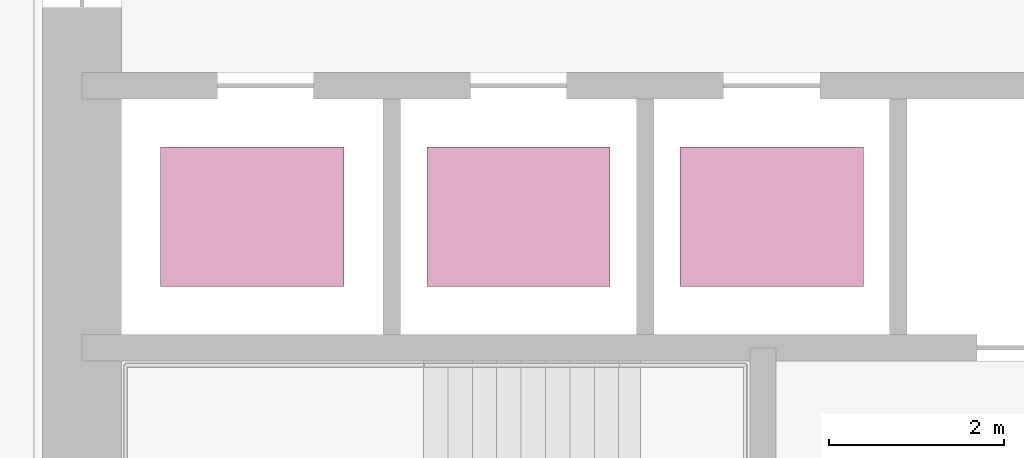
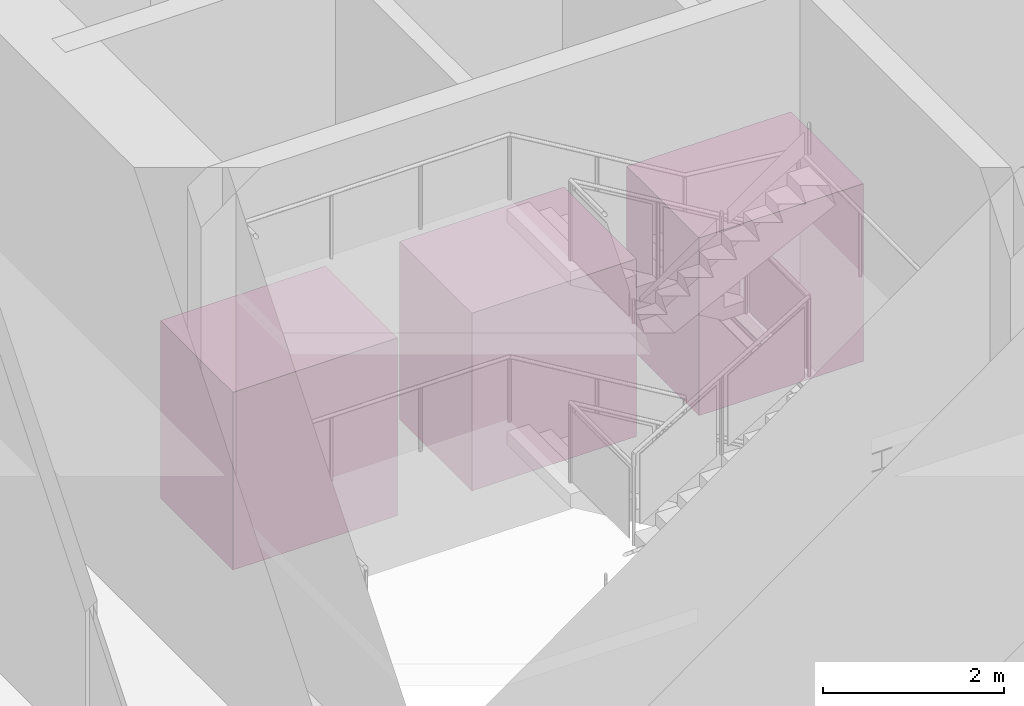
# One storey, part 13 of 13: 3 transport elements.
"""IFC4 building model written with IfcOpenShell, lengths in metres."""

from ifc_helpers import new_model, si_unit, direction, frame, origin, origin_2d, place, context, subcontext, project, spatial, rectangle, extrude, material, type_object, element, save


model = new_model("IFC4")

# Units and contexts
model_context = context("Model", 3, precision=1e-05, world=origin(), true_north=direction((0.0, 1.0)))
body_context = subcontext(model_context, "Body", "Model", "MODEL_VIEW")
ifc_project = project(units=[si_unit("LENGTHUNIT", "METRE"), si_unit("AREAUNIT", "SQUARE_METRE"), si_unit("VOLUMEUNIT", "CUBIC_METRE"), si_unit("PLANEANGLEUNIT", "RADIAN"), si_unit("MASSUNIT", "GRAM", prefix="KILO")], contexts=[model_context])

# Site, building, storey
site_placement = place(None, origin())
site = spatial("IfcSite", under=ifc_project, at=site_placement, CompositionType="ELEMENT")
building_placement = place(site_placement, origin())
building = spatial("IfcBuilding", under=site, at=building_placement, Name="Mashrafa Tower", CompositionType="ELEMENT")
storey_placement = place(building_placement, frame((0.0, 0.0, 198.0)))
storey = spatial("IfcBuildingStorey", under=building, at=storey_placement, Name="L45", CompositionType="ELEMENT", Elevation=198.0)

# Transport elements
ifc_material = material(Name="Steel lift car", Category="steel")
transport_element_type = type_object("IfcTransportElementType", Name="Passenger lift 1600 kg car 2100 x 1600", PredefinedType="ELEVATOR", material=ifc_material)
for number, where, z_axis, x_axis, name in (
    (1, (-8.85009765625, -4.5, 0.0), (0.0, 0.0, 1.0), (1.0, 0.0, 0.0), "Passenger lift AL1"),
    (2, (-5.800048828125, -4.5, 0.0), (0.0, 0.0, 1.0), (1.0, 0.0, 0.0), "Passenger lift AL2"),
    (3, (-2.89990234375, -4.5, 0.0), (0.0, 0.0, 1.0), (1.0, 0.0, 0.0), "Passenger lift AL3"),
):
    element("IfcTransportElement", number, at=place(storey_placement, frame(where, z_axis=z_axis, x_axis=x_axis)), inside=storey, type_object=transport_element_type, Name=name, PredefinedType="ELEVATOR", context=body_context, shape_type="SweptSolid", body=[
        extrude(rectangle(XDim=2.10009765625, YDim=1.60009765625, at=origin_2d()), origin(), (0.0, 0.0, 1.0), 2.39990234375),
    ])

save(model, "model.ifc")
